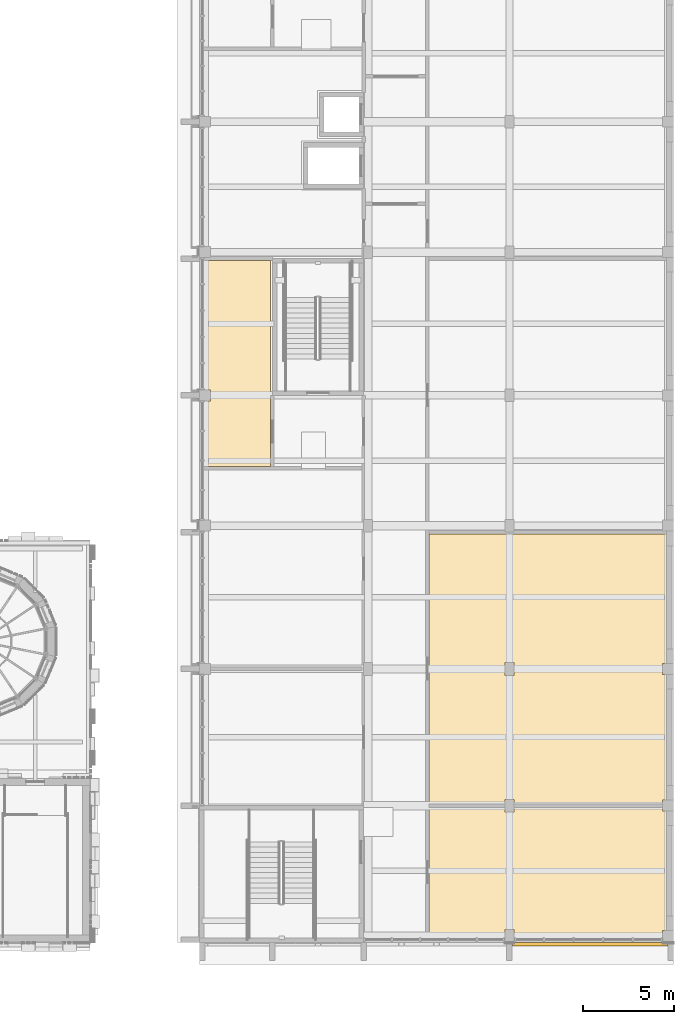
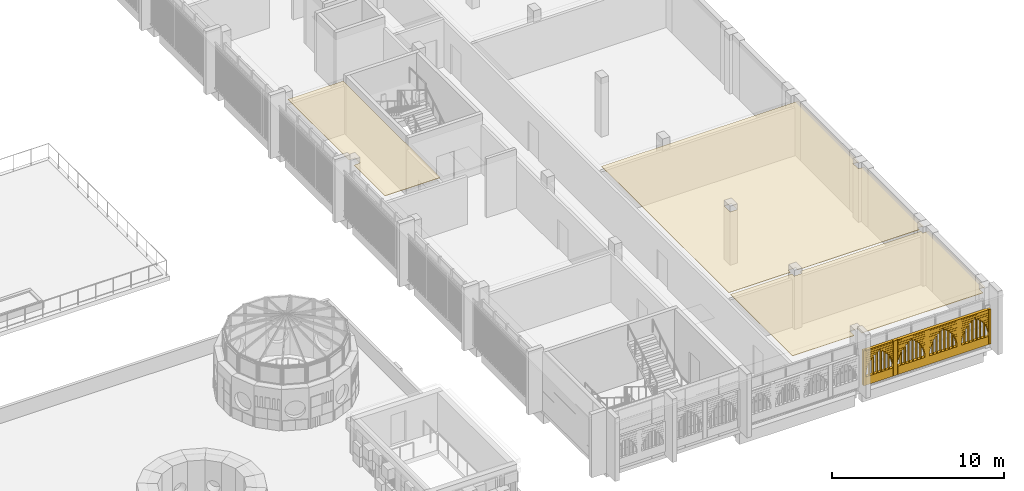
# One storey, part 91 of 98: 4 coverings.
"""IFC4 building model written with IfcOpenShell, lengths in metres."""

from ifc_helpers import new_model, si_unit, direction, frame, origin, origin_2d, place, context, subcontext, project, spatial, polyline, rectangle, outline, extrude, material, layer, layer_set, type_object, element, save


model = new_model("IFC4")

# Units and contexts
model_context = context("Model", 3, precision=1e-05, world=origin(), true_north=direction((0.0, 1.0)))
body_context = subcontext(model_context, "Body", "Model", "MODEL_VIEW")
ifc_project = project(units=[si_unit("LENGTHUNIT", "METRE"), si_unit("AREAUNIT", "SQUARE_METRE"), si_unit("VOLUMEUNIT", "CUBIC_METRE"), si_unit("PLANEANGLEUNIT", "RADIAN"), si_unit("MASSUNIT", "GRAM", prefix="KILO")], contexts=[model_context])

# Site, building, storey
site_placement = place(None, origin())
site = spatial("IfcSite", under=ifc_project, at=site_placement, CompositionType="ELEMENT")
building_placement = place(site_placement, origin())
building = spatial("IfcBuilding", under=site, at=building_placement, Name="Sun Court Science Centre", CompositionType="ELEMENT")
storey_placement = place(building_placement, frame((0.0, 0.0, 15.75)))
storey = spatial("IfcBuildingStorey", under=building, at=storey_placement, Name="L03", CompositionType="ELEMENT", Elevation=15.75)

# Coverings
ifc_material_1 = material(Name="Red sandstone", Category="masonry")
ifc_layer_1 = layer(ifc_material_1, 0.199951171875)
ifc_layer_set_1 = layer_set([ifc_layer_1], Name="Red sandstone")
covering_type_1 = type_object("IfcCoveringType", Name="Arched jali screen 200", PredefinedType="CLADDING", material=ifc_layer_set_1)
covering_1_placement = place(storey_placement, frame((0.0, 0.0, -15.75)))
element("IfcCovering", 1, at=covering_1_placement, inside=storey, type_object=covering_type_1, Name="Arched jali screen south L03 04", PredefinedType="CLADDING", context=body_context, shape_type="SweptSolid", body=[
    extrude(rectangle(XDim=0.139892578125, YDim=0.199951171875, at=origin_2d()), frame((95.22509765625, 5.89990234375, 16.05517578125), z_axis=(0.0, 0.0, 1.0), x_axis=(1.0, 0.0, 0.0)), (0.0, 0.0, 1.0), 2.481201171875),
    extrude(rectangle(XDim=0.2900390625, YDim=0.199951171875, at=origin_2d()), frame((97.28759765625, 5.89990234375, 16.05517578125), z_axis=(0.0, 0.0, 1.0), x_axis=(1.0, 0.0, 0.0)), (0.0, 0.0, 1.0), 2.481201171875),
    extrude(rectangle(XDim=0.2900390625, YDim=0.199951171875, at=origin_2d()), frame((99.425048828125, 5.89990234375, 16.05517578125), z_axis=(0.0, 0.0, 1.0), x_axis=(1.0, 0.0, 0.0)), (0.0, 0.0, 1.0), 2.481201171875),
    extrude(rectangle(XDim=0.2900390625, YDim=0.199951171875, at=origin_2d()), frame((101.5625, 5.89990234375, 16.05517578125), z_axis=(0.0, 0.0, 1.0), x_axis=(1.0, 0.0, 0.0)), (0.0, 0.0, 1.0), 2.481201171875),
    extrude(rectangle(XDim=0.139892578125, YDim=0.199951171875, at=origin_2d()), frame((103.625, 5.89990234375, 16.05517578125), z_axis=(0.0, 0.0, 1.0), x_axis=(1.0, 0.0, 0.0)), (0.0, 0.0, 1.0), 2.481201171875),
    extrude(rectangle(XDim=1.827392578125, YDim=0.199951171875, at=origin_2d()), frame((96.21875, 5.89990234375, 16.05517578125), z_axis=(0.0, 0.0, 1.0), x_axis=(1.0, 0.0, 0.0)), (0.0, 0.0, 1.0), 0.590087890625),
    extrude(rectangle(XDim=0.028564453125, YDim=0.199951171875, at=origin_2d()), frame((95.3193359375, 5.89990234375, 16.955078125), z_axis=(0.0, 0.0, 1.0), x_axis=(1.0, 0.0, 0.0)), (0.0, 0.0, 1.0), 0.139892578125),
    extrude(rectangle(XDim=0.028564453125, YDim=0.199951171875, at=origin_2d()), frame((97.1181640625, 5.89990234375, 16.955078125), z_axis=(0.0, 0.0, 1.0), x_axis=(1.0, 0.0, 0.0)), (0.0, 0.0, 1.0), 0.139892578125),
    extrude(rectangle(XDim=0.066650390625, YDim=0.199951171875, at=origin_2d()), frame((95.33837890625, 5.89990234375, 17.10498046875), z_axis=(0.0, 0.0, 1.0), x_axis=(1.0, 0.0, 0.0)), (0.0, 0.0, 1.0), 0.139892578125),
    extrude(rectangle(XDim=0.066650390625, YDim=0.199951171875, at=origin_2d()), frame((97.09912109375, 5.89990234375, 17.10498046875), z_axis=(0.0, 0.0, 1.0), x_axis=(1.0, 0.0, 0.0)), (0.0, 0.0, 1.0), 0.139892578125),
    extrude(rectangle(XDim=0.118408203125, YDim=0.199951171875, at=origin_2d()), frame((95.3642578125, 5.89990234375, 17.2548828125), z_axis=(0.0, 0.0, 1.0), x_axis=(1.0, 0.0, 0.0)), (0.0, 0.0, 1.0), 0.139892578125),
    extrude(rectangle(XDim=0.118408203125, YDim=0.199951171875, at=origin_2d()), frame((97.0732421875, 5.89990234375, 17.2548828125), z_axis=(0.0, 0.0, 1.0), x_axis=(1.0, 0.0, 0.0)), (0.0, 0.0, 1.0), 0.139892578125),
    extrude(rectangle(XDim=0.185546875, YDim=0.199951171875, at=origin_2d()), frame((95.397705078125, 5.89990234375, 17.4052734375), z_axis=(0.0, 0.0, 1.0), x_axis=(1.0, 0.0, 0.0)), (0.0, 0.0, 1.0), 0.139892578125),
    extrude(rectangle(XDim=0.185546875, YDim=0.199951171875, at=origin_2d()), frame((97.039794921875, 5.89990234375, 17.4052734375), z_axis=(0.0, 0.0, 1.0), x_axis=(1.0, 0.0, 0.0)), (0.0, 0.0, 1.0), 0.139892578125),
    extrude(rectangle(XDim=0.27001953125, YDim=0.199951171875, at=origin_2d()), frame((95.43994140625, 5.89990234375, 17.55517578125), z_axis=(0.0, 0.0, 1.0), x_axis=(1.0, 0.0, 0.0)), (0.0, 0.0, 1.0), 0.139892578125),
    extrude(rectangle(XDim=0.27001953125, YDim=0.199951171875, at=origin_2d()), frame((96.99755859375, 5.89990234375, 17.55517578125), z_axis=(0.0, 0.0, 1.0), x_axis=(1.0, 0.0, 0.0)), (0.0, 0.0, 1.0), 0.139892578125),
    extrude(rectangle(XDim=0.374755859375, YDim=0.199951171875, at=origin_2d()), frame((95.492431640625, 5.89990234375, 17.705078125), z_axis=(0.0, 0.0, 1.0), x_axis=(1.0, 0.0, 0.0)), (0.0, 0.0, 1.0), 0.139892578125),
    extrude(rectangle(XDim=0.374755859375, YDim=0.199951171875, at=origin_2d()), frame((96.945068359375, 5.89990234375, 17.705078125), z_axis=(0.0, 0.0, 1.0), x_axis=(1.0, 0.0, 0.0)), (0.0, 0.0, 1.0), 0.139892578125),
    extrude(rectangle(XDim=0.50439453125, YDim=0.199951171875, at=origin_2d()), frame((95.55712890625, 5.89990234375, 17.85498046875), z_axis=(0.0, 0.0, 1.0), x_axis=(1.0, 0.0, 0.0)), (0.0, 0.0, 1.0), 0.139892578125),
    extrude(rectangle(XDim=0.50439453125, YDim=0.199951171875, at=origin_2d()), frame((96.88037109375, 5.89990234375, 17.85498046875), z_axis=(0.0, 0.0, 1.0), x_axis=(1.0, 0.0, 0.0)), (0.0, 0.0, 1.0), 0.139892578125),
    extrude(rectangle(XDim=0.66748046875, YDim=0.199951171875, at=origin_2d()), frame((95.638671875, 5.89990234375, 18.0048828125), z_axis=(0.0, 0.0, 1.0), x_axis=(1.0, 0.0, 0.0)), (0.0, 0.0, 1.0), 0.139892578125),
    extrude(rectangle(XDim=0.66748046875, YDim=0.199951171875, at=origin_2d()), frame((96.798828125, 5.89990234375, 18.0048828125), z_axis=(0.0, 0.0, 1.0), x_axis=(1.0, 0.0, 0.0)), (0.0, 0.0, 1.0), 0.139892578125),
    extrude(rectangle(XDim=0.881103515625, YDim=0.199951171875, at=origin_2d()), frame((95.74560546875, 5.89990234375, 18.1552734375), z_axis=(0.0, 0.0, 1.0), x_axis=(1.0, 0.0, 0.0)), (0.0, 0.0, 1.0), 0.139892578125),
    extrude(rectangle(XDim=0.881103515625, YDim=0.199951171875, at=origin_2d()), frame((96.69189453125, 5.89990234375, 18.1552734375), z_axis=(0.0, 0.0, 1.0), x_axis=(1.0, 0.0, 0.0)), (0.0, 0.0, 1.0), 0.139892578125),
    extrude(rectangle(XDim=1.827392578125, YDim=0.199951171875, at=origin_2d()), frame((96.21875, 5.89990234375, 18.30517578125), z_axis=(0.0, 0.0, 1.0), x_axis=(1.0, 0.0, 0.0)), (0.0, 0.0, 1.0), 0.139892578125),
    extrude(rectangle(XDim=1.827392578125, YDim=0.199951171875, at=origin_2d()), frame((96.21875, 5.89990234375, 18.455078125), z_axis=(0.0, 0.0, 1.0), x_axis=(1.0, 0.0, 0.0)), (0.0, 0.0, 1.0), 0.081298828125),
    extrude(rectangle(XDim=0.0400390625, YDim=0.199951171875, at=origin_2d()), frame((95.5625, 5.89990234375, 16.655029296875), z_axis=(0.0, 0.0, 1.0), x_axis=(1.0, 0.0, 0.0)), (0.0, 0.0, 1.0), 0.9365234375),
    extrude(rectangle(XDim=0.0400390625, YDim=0.199951171875, at=origin_2d()), frame((95.824951171875, 5.89990234375, 16.655029296875), z_axis=(0.0, 0.0, 1.0), x_axis=(1.0, 0.0, 0.0)), (0.0, 0.0, 1.0), 1.27587890625),
    extrude(rectangle(XDim=0.0400390625, YDim=0.199951171875, at=origin_2d()), frame((96.08740234375, 5.89990234375, 16.655029296875), z_axis=(0.0, 0.0, 1.0), x_axis=(1.0, 0.0, 0.0)), (0.0, 0.0, 1.0), 1.498046875),
    extrude(rectangle(XDim=0.0400390625, YDim=0.199951171875, at=origin_2d()), frame((96.35009765625, 5.89990234375, 16.655029296875), z_axis=(0.0, 0.0, 1.0), x_axis=(1.0, 0.0, 0.0)), (0.0, 0.0, 1.0), 1.498046875),
    extrude(rectangle(XDim=0.0400390625, YDim=0.199951171875, at=origin_2d()), frame((96.612548828125, 5.89990234375, 16.655029296875), z_axis=(0.0, 0.0, 1.0), x_axis=(1.0, 0.0, 0.0)), (0.0, 0.0, 1.0), 1.27587890625),
    extrude(rectangle(XDim=0.0400390625, YDim=0.199951171875, at=origin_2d()), frame((96.875, 5.89990234375, 16.655029296875), z_axis=(0.0, 0.0, 1.0), x_axis=(1.0, 0.0, 0.0)), (0.0, 0.0, 1.0), 0.9365234375),
    extrude(rectangle(XDim=1.827392578125, YDim=0.199951171875, at=origin_2d()), frame((98.356201171875, 5.89990234375, 16.05517578125), z_axis=(0.0, 0.0, 1.0), x_axis=(1.0, 0.0, 0.0)), (0.0, 0.0, 1.0), 0.590087890625),
    extrude(rectangle(XDim=0.028564453125, YDim=0.199951171875, at=origin_2d()), frame((97.456787109375, 5.89990234375, 16.955078125), z_axis=(0.0, 0.0, 1.0), x_axis=(1.0, 0.0, 0.0)), (0.0, 0.0, 1.0), 0.139892578125),
    extrude(rectangle(XDim=0.028564453125, YDim=0.199951171875, at=origin_2d()), frame((99.255615234375, 5.89990234375, 16.955078125), z_axis=(0.0, 0.0, 1.0), x_axis=(1.0, 0.0, 0.0)), (0.0, 0.0, 1.0), 0.139892578125),
    extrude(rectangle(XDim=0.066650390625, YDim=0.199951171875, at=origin_2d()), frame((97.475830078125, 5.89990234375, 17.10498046875), z_axis=(0.0, 0.0, 1.0), x_axis=(1.0, 0.0, 0.0)), (0.0, 0.0, 1.0), 0.139892578125),
    extrude(rectangle(XDim=0.066650390625, YDim=0.199951171875, at=origin_2d()), frame((99.23681640625, 5.89990234375, 17.10498046875), z_axis=(0.0, 0.0, 1.0), x_axis=(1.0, 0.0, 0.0)), (0.0, 0.0, 1.0), 0.139892578125),
    extrude(rectangle(XDim=0.118408203125, YDim=0.199951171875, at=origin_2d()), frame((97.501708984375, 5.89990234375, 17.2548828125), z_axis=(0.0, 0.0, 1.0), x_axis=(1.0, 0.0, 0.0)), (0.0, 0.0, 1.0), 0.139892578125),
    extrude(rectangle(XDim=0.118408203125, YDim=0.199951171875, at=origin_2d()), frame((99.210693359375, 5.89990234375, 17.2548828125), z_axis=(0.0, 0.0, 1.0), x_axis=(1.0, 0.0, 0.0)), (0.0, 0.0, 1.0), 0.139892578125),
    extrude(rectangle(XDim=0.185546875, YDim=0.199951171875, at=origin_2d()), frame((97.535400390625, 5.89990234375, 17.4052734375), z_axis=(0.0, 0.0, 1.0), x_axis=(1.0, 0.0, 0.0)), (0.0, 0.0, 1.0), 0.139892578125),
    extrude(rectangle(XDim=0.185546875, YDim=0.199951171875, at=origin_2d()), frame((99.17724609375, 5.89990234375, 17.4052734375), z_axis=(0.0, 0.0, 1.0), x_axis=(1.0, 0.0, 0.0)), (0.0, 0.0, 1.0), 0.139892578125),
    extrude(rectangle(XDim=0.27001953125, YDim=0.199951171875, at=origin_2d()), frame((97.577392578125, 5.89990234375, 17.55517578125), z_axis=(0.0, 0.0, 1.0), x_axis=(1.0, 0.0, 0.0)), (0.0, 0.0, 1.0), 0.139892578125),
    extrude(rectangle(XDim=0.27001953125, YDim=0.199951171875, at=origin_2d()), frame((99.135009765625, 5.89990234375, 17.55517578125), z_axis=(0.0, 0.0, 1.0), x_axis=(1.0, 0.0, 0.0)), (0.0, 0.0, 1.0), 0.139892578125),
    extrude(rectangle(XDim=0.374755859375, YDim=0.199951171875, at=origin_2d()), frame((97.6298828125, 5.89990234375, 17.705078125), z_axis=(0.0, 0.0, 1.0), x_axis=(1.0, 0.0, 0.0)), (0.0, 0.0, 1.0), 0.139892578125),
    extrude(rectangle(XDim=0.374755859375, YDim=0.199951171875, at=origin_2d()), frame((99.082763671875, 5.89990234375, 17.705078125), z_axis=(0.0, 0.0, 1.0), x_axis=(1.0, 0.0, 0.0)), (0.0, 0.0, 1.0), 0.139892578125),
    extrude(rectangle(XDim=0.50439453125, YDim=0.199951171875, at=origin_2d()), frame((97.694580078125, 5.89990234375, 17.85498046875), z_axis=(0.0, 0.0, 1.0), x_axis=(1.0, 0.0, 0.0)), (0.0, 0.0, 1.0), 0.139892578125),
    extrude(rectangle(XDim=0.50439453125, YDim=0.199951171875, at=origin_2d()), frame((99.017822265625, 5.89990234375, 17.85498046875), z_axis=(0.0, 0.0, 1.0), x_axis=(1.0, 0.0, 0.0)), (0.0, 0.0, 1.0), 0.139892578125),
    extrude(rectangle(XDim=0.66748046875, YDim=0.199951171875, at=origin_2d()), frame((97.776123046875, 5.89990234375, 18.0048828125), z_axis=(0.0, 0.0, 1.0), x_axis=(1.0, 0.0, 0.0)), (0.0, 0.0, 1.0), 0.139892578125),
    extrude(rectangle(XDim=0.66748046875, YDim=0.199951171875, at=origin_2d()), frame((98.936279296875, 5.89990234375, 18.0048828125), z_axis=(0.0, 0.0, 1.0), x_axis=(1.0, 0.0, 0.0)), (0.0, 0.0, 1.0), 0.139892578125),
    extrude(rectangle(XDim=0.881103515625, YDim=0.199951171875, at=origin_2d()), frame((97.883056640625, 5.89990234375, 18.1552734375), z_axis=(0.0, 0.0, 1.0), x_axis=(1.0, 0.0, 0.0)), (0.0, 0.0, 1.0), 0.139892578125),
    extrude(rectangle(XDim=0.881103515625, YDim=0.199951171875, at=origin_2d()), frame((98.82958984375, 5.89990234375, 18.1552734375), z_axis=(0.0, 0.0, 1.0), x_axis=(1.0, 0.0, 0.0)), (0.0, 0.0, 1.0), 0.139892578125),
    extrude(rectangle(XDim=1.827392578125, YDim=0.199951171875, at=origin_2d()), frame((98.356201171875, 5.89990234375, 18.30517578125), z_axis=(0.0, 0.0, 1.0), x_axis=(1.0, 0.0, 0.0)), (0.0, 0.0, 1.0), 0.139892578125),
    extrude(rectangle(XDim=1.827392578125, YDim=0.199951171875, at=origin_2d()), frame((98.356201171875, 5.89990234375, 18.455078125), z_axis=(0.0, 0.0, 1.0), x_axis=(1.0, 0.0, 0.0)), (0.0, 0.0, 1.0), 0.081298828125),
    extrude(rectangle(XDim=0.0400390625, YDim=0.199951171875, at=origin_2d()), frame((97.699951171875, 5.89990234375, 16.655029296875), z_axis=(0.0, 0.0, 1.0), x_axis=(1.0, 0.0, 0.0)), (0.0, 0.0, 1.0), 0.9365234375),
    extrude(rectangle(XDim=0.0400390625, YDim=0.199951171875, at=origin_2d()), frame((97.96240234375, 5.89990234375, 16.655029296875), z_axis=(0.0, 0.0, 1.0), x_axis=(1.0, 0.0, 0.0)), (0.0, 0.0, 1.0), 1.27587890625),
    extrude(rectangle(XDim=0.0400390625, YDim=0.199951171875, at=origin_2d()), frame((98.22509765625, 5.89990234375, 16.655029296875), z_axis=(0.0, 0.0, 1.0), x_axis=(1.0, 0.0, 0.0)), (0.0, 0.0, 1.0), 1.498046875),
    extrude(rectangle(XDim=0.0400390625, YDim=0.199951171875, at=origin_2d()), frame((98.487548828125, 5.89990234375, 16.655029296875), z_axis=(0.0, 0.0, 1.0), x_axis=(1.0, 0.0, 0.0)), (0.0, 0.0, 1.0), 1.498046875),
    extrude(rectangle(XDim=0.0400390625, YDim=0.199951171875, at=origin_2d()), frame((98.75, 5.89990234375, 16.655029296875), z_axis=(0.0, 0.0, 1.0), x_axis=(1.0, 0.0, 0.0)), (0.0, 0.0, 1.0), 1.27587890625),
    extrude(rectangle(XDim=0.0400390625, YDim=0.199951171875, at=origin_2d()), frame((99.012451171875, 5.89990234375, 16.655029296875), z_axis=(0.0, 0.0, 1.0), x_axis=(1.0, 0.0, 0.0)), (0.0, 0.0, 1.0), 0.9365234375),
    extrude(rectangle(XDim=1.827392578125, YDim=0.199951171875, at=origin_2d()), frame((100.49365234375, 5.89990234375, 16.05517578125), z_axis=(0.0, 0.0, 1.0), x_axis=(1.0, 0.0, 0.0)), (0.0, 0.0, 1.0), 0.590087890625),
    extrude(rectangle(XDim=0.028564453125, YDim=0.199951171875, at=origin_2d()), frame((99.59423828125, 5.89990234375, 16.955078125), z_axis=(0.0, 0.0, 1.0), x_axis=(1.0, 0.0, 0.0)), (0.0, 0.0, 1.0), 0.139892578125),
    extrude(rectangle(XDim=0.028564453125, YDim=0.199951171875, at=origin_2d()), frame((101.39306640625, 5.89990234375, 16.955078125), z_axis=(0.0, 0.0, 1.0), x_axis=(1.0, 0.0, 0.0)), (0.0, 0.0, 1.0), 0.139892578125),
    extrude(rectangle(XDim=0.066650390625, YDim=0.199951171875, at=origin_2d()), frame((99.61328125, 5.89990234375, 17.10498046875), z_axis=(0.0, 0.0, 1.0), x_axis=(1.0, 0.0, 0.0)), (0.0, 0.0, 1.0), 0.139892578125),
    extrude(rectangle(XDim=0.066650390625, YDim=0.199951171875, at=origin_2d()), frame((101.374267578125, 5.89990234375, 17.10498046875), z_axis=(0.0, 0.0, 1.0), x_axis=(1.0, 0.0, 0.0)), (0.0, 0.0, 1.0), 0.139892578125),
    extrude(rectangle(XDim=0.118408203125, YDim=0.199951171875, at=origin_2d()), frame((99.63916015625, 5.89990234375, 17.2548828125), z_axis=(0.0, 0.0, 1.0), x_axis=(1.0, 0.0, 0.0)), (0.0, 0.0, 1.0), 0.139892578125),
    extrude(rectangle(XDim=0.118408203125, YDim=0.199951171875, at=origin_2d()), frame((101.34814453125, 5.89990234375, 17.2548828125), z_axis=(0.0, 0.0, 1.0), x_axis=(1.0, 0.0, 0.0)), (0.0, 0.0, 1.0), 0.139892578125),
    extrude(rectangle(XDim=0.185546875, YDim=0.199951171875, at=origin_2d()), frame((99.6728515625, 5.89990234375, 17.4052734375), z_axis=(0.0, 0.0, 1.0), x_axis=(1.0, 0.0, 0.0)), (0.0, 0.0, 1.0), 0.139892578125),
    extrude(rectangle(XDim=0.185546875, YDim=0.199951171875, at=origin_2d()), frame((101.314697265625, 5.89990234375, 17.4052734375), z_axis=(0.0, 0.0, 1.0), x_axis=(1.0, 0.0, 0.0)), (0.0, 0.0, 1.0), 0.139892578125),
    extrude(rectangle(XDim=0.27001953125, YDim=0.199951171875, at=origin_2d()), frame((99.715087890625, 5.89990234375, 17.55517578125), z_axis=(0.0, 0.0, 1.0), x_axis=(1.0, 0.0, 0.0)), (0.0, 0.0, 1.0), 0.139892578125),
    extrude(rectangle(XDim=0.27001953125, YDim=0.199951171875, at=origin_2d()), frame((101.2724609375, 5.89990234375, 17.55517578125), z_axis=(0.0, 0.0, 1.0), x_axis=(1.0, 0.0, 0.0)), (0.0, 0.0, 1.0), 0.139892578125),
    extrude(rectangle(XDim=0.374755859375, YDim=0.199951171875, at=origin_2d()), frame((99.767333984375, 5.89990234375, 17.705078125), z_axis=(0.0, 0.0, 1.0), x_axis=(1.0, 0.0, 0.0)), (0.0, 0.0, 1.0), 0.139892578125),
    extrude(rectangle(XDim=0.374755859375, YDim=0.199951171875, at=origin_2d()), frame((101.22021484375, 5.89990234375, 17.705078125), z_axis=(0.0, 0.0, 1.0), x_axis=(1.0, 0.0, 0.0)), (0.0, 0.0, 1.0), 0.139892578125),
    extrude(rectangle(XDim=0.50439453125, YDim=0.199951171875, at=origin_2d()), frame((99.832275390625, 5.89990234375, 17.85498046875), z_axis=(0.0, 0.0, 1.0), x_axis=(1.0, 0.0, 0.0)), (0.0, 0.0, 1.0), 0.139892578125),
    extrude(rectangle(XDim=0.50439453125, YDim=0.199951171875, at=origin_2d()), frame((101.1552734375, 5.89990234375, 17.85498046875), z_axis=(0.0, 0.0, 1.0), x_axis=(1.0, 0.0, 0.0)), (0.0, 0.0, 1.0), 0.139892578125),
    extrude(rectangle(XDim=0.66748046875, YDim=0.199951171875, at=origin_2d()), frame((99.913818359375, 5.89990234375, 18.0048828125), z_axis=(0.0, 0.0, 1.0), x_axis=(1.0, 0.0, 0.0)), (0.0, 0.0, 1.0), 0.139892578125),
    extrude(rectangle(XDim=0.66748046875, YDim=0.199951171875, at=origin_2d()), frame((101.07373046875, 5.89990234375, 18.0048828125), z_axis=(0.0, 0.0, 1.0), x_axis=(1.0, 0.0, 0.0)), (0.0, 0.0, 1.0), 0.139892578125),
    extrude(rectangle(XDim=0.881103515625, YDim=0.199951171875, at=origin_2d()), frame((100.0205078125, 5.89990234375, 18.1552734375), z_axis=(0.0, 0.0, 1.0), x_axis=(1.0, 0.0, 0.0)), (0.0, 0.0, 1.0), 0.139892578125),
    extrude(rectangle(XDim=0.881103515625, YDim=0.199951171875, at=origin_2d()), frame((100.967041015625, 5.89990234375, 18.1552734375), z_axis=(0.0, 0.0, 1.0), x_axis=(1.0, 0.0, 0.0)), (0.0, 0.0, 1.0), 0.139892578125),
    extrude(rectangle(XDim=1.827392578125, YDim=0.199951171875, at=origin_2d()), frame((100.49365234375, 5.89990234375, 18.30517578125), z_axis=(0.0, 0.0, 1.0), x_axis=(1.0, 0.0, 0.0)), (0.0, 0.0, 1.0), 0.139892578125),
    extrude(rectangle(XDim=1.827392578125, YDim=0.199951171875, at=origin_2d()), frame((100.49365234375, 5.89990234375, 18.455078125), z_axis=(0.0, 0.0, 1.0), x_axis=(1.0, 0.0, 0.0)), (0.0, 0.0, 1.0), 0.081298828125),
    extrude(rectangle(XDim=0.0400390625, YDim=0.199951171875, at=origin_2d()), frame((99.83740234375, 5.89990234375, 16.655029296875), z_axis=(0.0, 0.0, 1.0), x_axis=(1.0, 0.0, 0.0)), (0.0, 0.0, 1.0), 0.9365234375),
    extrude(rectangle(XDim=0.0400390625, YDim=0.199951171875, at=origin_2d()), frame((100.10009765625, 5.89990234375, 16.655029296875), z_axis=(0.0, 0.0, 1.0), x_axis=(1.0, 0.0, 0.0)), (0.0, 0.0, 1.0), 1.27587890625),
    extrude(rectangle(XDim=0.0400390625, YDim=0.199951171875, at=origin_2d()), frame((100.362548828125, 5.89990234375, 16.655029296875), z_axis=(0.0, 0.0, 1.0), x_axis=(1.0, 0.0, 0.0)), (0.0, 0.0, 1.0), 1.498046875),
    extrude(rectangle(XDim=0.0400390625, YDim=0.199951171875, at=origin_2d()), frame((100.625, 5.89990234375, 16.655029296875), z_axis=(0.0, 0.0, 1.0), x_axis=(1.0, 0.0, 0.0)), (0.0, 0.0, 1.0), 1.498046875),
    extrude(rectangle(XDim=0.0400390625, YDim=0.199951171875, at=origin_2d()), frame((100.887451171875, 5.89990234375, 16.655029296875), z_axis=(0.0, 0.0, 1.0), x_axis=(1.0, 0.0, 0.0)), (0.0, 0.0, 1.0), 1.27587890625),
    extrude(rectangle(XDim=0.0400390625, YDim=0.199951171875, at=origin_2d()), frame((101.14990234375, 5.89990234375, 16.655029296875), z_axis=(0.0, 0.0, 1.0), x_axis=(1.0, 0.0, 0.0)), (0.0, 0.0, 1.0), 0.9365234375),
    extrude(rectangle(XDim=1.827392578125, YDim=0.199951171875, at=origin_2d()), frame((102.63134765625, 5.89990234375, 16.05517578125), z_axis=(0.0, 0.0, 1.0), x_axis=(1.0, 0.0, 0.0)), (0.0, 0.0, 1.0), 0.590087890625),
    extrude(rectangle(XDim=0.028564453125, YDim=0.199951171875, at=origin_2d()), frame((101.73193359375, 5.89990234375, 16.955078125), z_axis=(0.0, 0.0, 1.0), x_axis=(1.0, 0.0, 0.0)), (0.0, 0.0, 1.0), 0.139892578125),
    extrude(rectangle(XDim=0.028564453125, YDim=0.199951171875, at=origin_2d()), frame((103.53076171875, 5.89990234375, 16.955078125), z_axis=(0.0, 0.0, 1.0), x_axis=(1.0, 0.0, 0.0)), (0.0, 0.0, 1.0), 0.139892578125),
    extrude(rectangle(XDim=0.066650390625, YDim=0.199951171875, at=origin_2d()), frame((101.750732421875, 5.89990234375, 17.10498046875), z_axis=(0.0, 0.0, 1.0), x_axis=(1.0, 0.0, 0.0)), (0.0, 0.0, 1.0), 0.139892578125),
    extrude(rectangle(XDim=0.066650390625, YDim=0.199951171875, at=origin_2d()), frame((103.51171875, 5.89990234375, 17.10498046875), z_axis=(0.0, 0.0, 1.0), x_axis=(1.0, 0.0, 0.0)), (0.0, 0.0, 1.0), 0.139892578125),
    extrude(rectangle(XDim=0.118408203125, YDim=0.199951171875, at=origin_2d()), frame((101.77685546875, 5.89990234375, 17.2548828125), z_axis=(0.0, 0.0, 1.0), x_axis=(1.0, 0.0, 0.0)), (0.0, 0.0, 1.0), 0.139892578125),
    extrude(rectangle(XDim=0.118408203125, YDim=0.199951171875, at=origin_2d()), frame((103.48583984375, 5.89990234375, 17.2548828125), z_axis=(0.0, 0.0, 1.0), x_axis=(1.0, 0.0, 0.0)), (0.0, 0.0, 1.0), 0.139892578125),
    extrude(rectangle(XDim=0.185546875, YDim=0.199951171875, at=origin_2d()), frame((101.810302734375, 5.89990234375, 17.4052734375), z_axis=(0.0, 0.0, 1.0), x_axis=(1.0, 0.0, 0.0)), (0.0, 0.0, 1.0), 0.139892578125),
    extrude(rectangle(XDim=0.185546875, YDim=0.199951171875, at=origin_2d()), frame((103.4521484375, 5.89990234375, 17.4052734375), z_axis=(0.0, 0.0, 1.0), x_axis=(1.0, 0.0, 0.0)), (0.0, 0.0, 1.0), 0.139892578125),
    extrude(rectangle(XDim=0.27001953125, YDim=0.199951171875, at=origin_2d()), frame((101.8525390625, 5.89990234375, 17.55517578125), z_axis=(0.0, 0.0, 1.0), x_axis=(1.0, 0.0, 0.0)), (0.0, 0.0, 1.0), 0.139892578125),
    extrude(rectangle(XDim=0.27001953125, YDim=0.199951171875, at=origin_2d()), frame((103.409912109375, 5.89990234375, 17.55517578125), z_axis=(0.0, 0.0, 1.0), x_axis=(1.0, 0.0, 0.0)), (0.0, 0.0, 1.0), 0.139892578125),
    extrude(rectangle(XDim=0.374755859375, YDim=0.199951171875, at=origin_2d()), frame((101.90478515625, 5.89990234375, 17.705078125), z_axis=(0.0, 0.0, 1.0), x_axis=(1.0, 0.0, 0.0)), (0.0, 0.0, 1.0), 0.139892578125),
    extrude(rectangle(XDim=0.374755859375, YDim=0.199951171875, at=origin_2d()), frame((103.357666015625, 5.89990234375, 17.705078125), z_axis=(0.0, 0.0, 1.0), x_axis=(1.0, 0.0, 0.0)), (0.0, 0.0, 1.0), 0.139892578125),
    extrude(rectangle(XDim=0.50439453125, YDim=0.199951171875, at=origin_2d()), frame((101.9697265625, 5.89990234375, 17.85498046875), z_axis=(0.0, 0.0, 1.0), x_axis=(1.0, 0.0, 0.0)), (0.0, 0.0, 1.0), 0.139892578125),
    extrude(rectangle(XDim=0.50439453125, YDim=0.199951171875, at=origin_2d()), frame((103.292724609375, 5.89990234375, 17.85498046875), z_axis=(0.0, 0.0, 1.0), x_axis=(1.0, 0.0, 0.0)), (0.0, 0.0, 1.0), 0.139892578125),
    extrude(rectangle(XDim=0.66748046875, YDim=0.199951171875, at=origin_2d()), frame((102.05126953125, 5.89990234375, 18.0048828125), z_axis=(0.0, 0.0, 1.0), x_axis=(1.0, 0.0, 0.0)), (0.0, 0.0, 1.0), 0.139892578125),
    extrude(rectangle(XDim=0.66748046875, YDim=0.199951171875, at=origin_2d()), frame((103.211181640625, 5.89990234375, 18.0048828125), z_axis=(0.0, 0.0, 1.0), x_axis=(1.0, 0.0, 0.0)), (0.0, 0.0, 1.0), 0.139892578125),
    extrude(rectangle(XDim=0.881103515625, YDim=0.199951171875, at=origin_2d()), frame((102.157958984375, 5.89990234375, 18.1552734375), z_axis=(0.0, 0.0, 1.0), x_axis=(1.0, 0.0, 0.0)), (0.0, 0.0, 1.0), 0.139892578125),
    extrude(rectangle(XDim=0.881103515625, YDim=0.199951171875, at=origin_2d()), frame((103.1044921875, 5.89990234375, 18.1552734375), z_axis=(0.0, 0.0, 1.0), x_axis=(1.0, 0.0, 0.0)), (0.0, 0.0, 1.0), 0.139892578125),
    extrude(rectangle(XDim=1.827392578125, YDim=0.199951171875, at=origin_2d()), frame((102.63134765625, 5.89990234375, 18.30517578125), z_axis=(0.0, 0.0, 1.0), x_axis=(1.0, 0.0, 0.0)), (0.0, 0.0, 1.0), 0.139892578125),
    extrude(rectangle(XDim=1.827392578125, YDim=0.199951171875, at=origin_2d()), frame((102.63134765625, 5.89990234375, 18.455078125), z_axis=(0.0, 0.0, 1.0), x_axis=(1.0, 0.0, 0.0)), (0.0, 0.0, 1.0), 0.081298828125),
    extrude(rectangle(XDim=0.0400390625, YDim=0.199951171875, at=origin_2d()), frame((101.97509765625, 5.89990234375, 16.655029296875), z_axis=(0.0, 0.0, 1.0), x_axis=(1.0, 0.0, 0.0)), (0.0, 0.0, 1.0), 0.9365234375),
    extrude(rectangle(XDim=0.0400390625, YDim=0.199951171875, at=origin_2d()), frame((102.237548828125, 5.89990234375, 16.655029296875), z_axis=(0.0, 0.0, 1.0), x_axis=(1.0, 0.0, 0.0)), (0.0, 0.0, 1.0), 1.27587890625),
    extrude(rectangle(XDim=0.0400390625, YDim=0.199951171875, at=origin_2d()), frame((102.5, 5.89990234375, 16.655029296875), z_axis=(0.0, 0.0, 1.0), x_axis=(1.0, 0.0, 0.0)), (0.0, 0.0, 1.0), 1.498046875),
    extrude(rectangle(XDim=0.0400390625, YDim=0.199951171875, at=origin_2d()), frame((102.762451171875, 5.89990234375, 16.655029296875), z_axis=(0.0, 0.0, 1.0), x_axis=(1.0, 0.0, 0.0)), (0.0, 0.0, 1.0), 1.498046875),
    extrude(rectangle(XDim=0.0400390625, YDim=0.199951171875, at=origin_2d()), frame((103.02490234375, 5.89990234375, 16.655029296875), z_axis=(0.0, 0.0, 1.0), x_axis=(1.0, 0.0, 0.0)), (0.0, 0.0, 1.0), 1.27587890625),
    extrude(rectangle(XDim=0.0400390625, YDim=0.199951171875, at=origin_2d()), frame((103.28759765625, 5.89990234375, 16.655029296875), z_axis=(0.0, 0.0, 1.0), x_axis=(1.0, 0.0, 0.0)), (0.0, 0.0, 1.0), 0.9365234375),
])
ifc_material_2 = material(Name="Gypsum board")
ifc_layer_2 = layer(ifc_material_2, 0.030029296875)
ifc_layer_set_2 = layer_set([ifc_layer_2], Name="Gypsum board")
covering_type_2 = type_object("IfcCoveringType", Name="Ceiling suspended 600 module", PredefinedType="CEILING", material=ifc_layer_set_2)
covering_2_placement = place(storey_placement, frame((0.0, 0.0, 3.77001953125)))
element("IfcCovering", 2, at=covering_2_placement, inside=storey, type_object=covering_type_2, Name="L03-018 ceiling", PredefinedType="CEILING", context=body_context, shape_type="SweptSolid", body=[
    extrude(outline(polyline([(78.199951171875, 43.39990234375), (81.89990234375, 43.39990234375), (81.89990234375, 32.10009765625), (78.199951171875, 32.10009765625), (78.199951171875, 35.699951171875), (78.60009765625, 35.699951171875), (78.60009765625, 36.300048828125), (78.199951171875, 36.300048828125), (78.199951171875, 43.39990234375)])), origin(), (0.0, 0.0, 1.0), 0.030029296875),
])
covering_3_placement = place(storey_placement, frame((0.0, 0.0, 3.77001953125)))
element("IfcCovering", 3, at=covering_3_placement, inside=storey, type_object=covering_type_2, Name="L03-023 ceiling", PredefinedType="CEILING", context=body_context, shape_type="SweptSolid", body=[
    extrude(outline(polyline([(103.39990234375, 6.199951171875), (95.25, 6.199951171875), (95.25, 6.699951171875), (94.75, 6.699951171875), (94.75, 6.199951171875), (90.60009765625, 6.199951171875), (90.60009765625, 13.39990234375), (94.75, 13.39990234375), (94.75, 13.14990234375), (95.25, 13.14990234375), (95.25, 13.39990234375), (103.39990234375, 13.39990234375), (103.39990234375, 13.199951171875), (103.800048828125, 13.199951171875), (103.800048828125, 6.64990234375), (103.39990234375, 6.64990234375), (103.39990234375, 6.199951171875)])), origin(), (0.0, 0.0, 1.0), 0.030029296875),
])
covering_4_placement = place(storey_placement, frame((0.0, 0.0, 3.77001953125)))
element("IfcCovering", 4, at=covering_4_placement, inside=storey, type_object=covering_type_2, Name="L03-024 ceiling", PredefinedType="CEILING", context=body_context, shape_type="SweptSolid", body=[
    extrude(outline(polyline([(95.25, 13.60009765625), (95.25, 13.85009765625), (94.75, 13.85009765625), (94.75, 13.60009765625), (90.60009765625, 13.60009765625), (90.60009765625, 28.39990234375), (103.800048828125, 28.39990234375), (103.800048828125, 21.300048828125), (103.39990234375, 21.300048828125), (103.39990234375, 20.699951171875), (103.800048828125, 20.699951171875), (103.800048828125, 13.800048828125), (103.39990234375, 13.800048828125), (103.39990234375, 13.60009765625), (95.25, 13.60009765625)]), holes=[polyline([(95.25, 21.35009765625), (94.75, 21.35009765625), (94.75, 20.64990234375), (95.25, 20.64990234375), (95.25, 21.35009765625)])]), origin(), (0.0, 0.0, 1.0), 0.030029296875),
])

save(model, "model.ifc")
